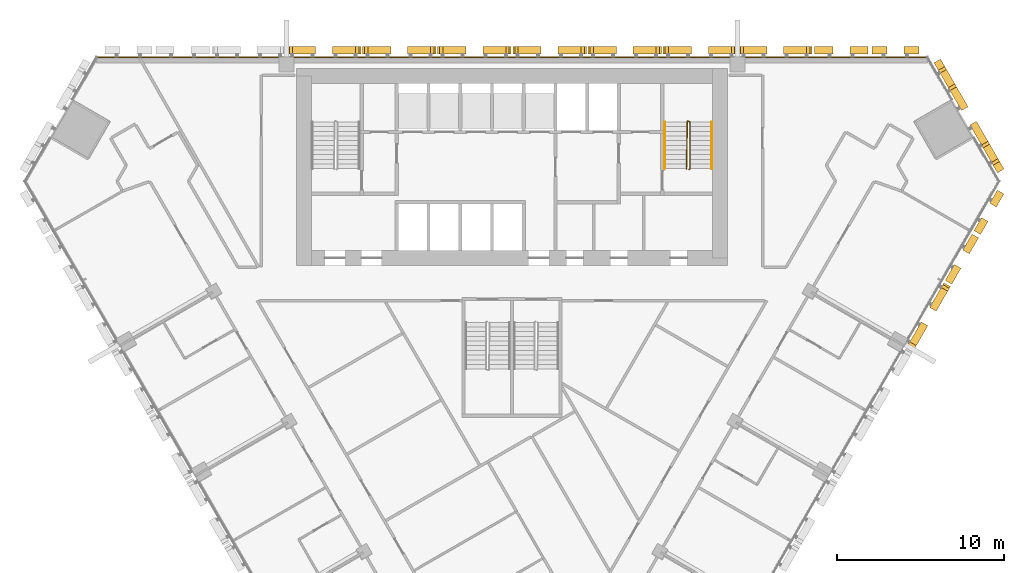
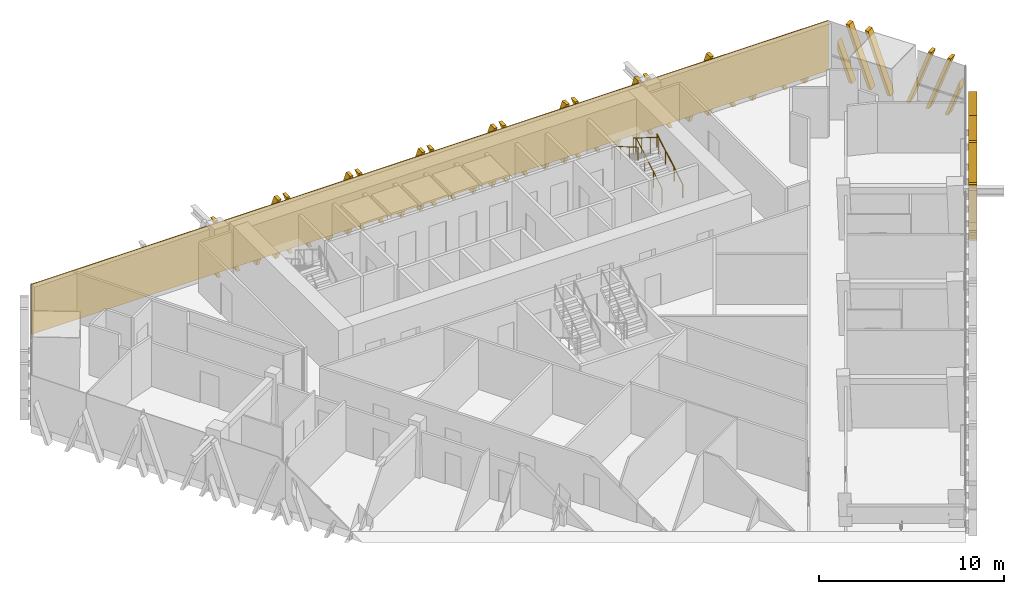
# One storey, part 14 of 15: 13 shading devices, 3 railings, 1 covering.
"""IFC4 building model written with IfcOpenShell, lengths in metres."""

from ifc_helpers import new_model, si_unit, direction, frame, frame_2d, origin, origin_2d, place, context, subcontext, project, spatial, polyline, rectangle, circle, outline, extrude, source, transform, mapped, material, layer, layer_set, type_object, element, save


model = new_model("IFC4")

# Units and contexts
model_context = context("Model", 3, precision=1e-05, world=origin(), true_north=direction((0.0, 1.0)))
body_context = subcontext(model_context, "Body", "Model", "MODEL_VIEW")
ifc_project = project(units=[si_unit("LENGTHUNIT", "METRE"), si_unit("AREAUNIT", "SQUARE_METRE"), si_unit("VOLUMEUNIT", "CUBIC_METRE"), si_unit("PLANEANGLEUNIT", "RADIAN"), si_unit("MASSUNIT", "GRAM", prefix="KILO")], contexts=[model_context])

# Site, building, storey
site_placement = place(None, origin())
site = spatial("IfcSite", under=ifc_project, at=site_placement, CompositionType="ELEMENT")
building_placement = place(site_placement, origin())
building = spatial("IfcBuilding", under=site, at=building_placement, Name="Altiplano Prism Tower", CompositionType="ELEMENT")
storey_placement = place(building_placement, frame((0.0, 0.0, 91.800048828125)))
storey = spatial("IfcBuildingStorey", under=building, at=storey_placement, Name="L23", CompositionType="ELEMENT", Elevation=91.800048828125)

# Railings
ifc_material_1 = material(Name="Steel S355", Category="steel")
railing_type_1 = type_object("IfcRailingType", Name="Stair guard 1100", PredefinedType="GUARDRAIL", material=ifc_material_1)
railing_1_placement = place(storey_placement, frame((95.60009765625, 98.25, 0.0)))
element("IfcRailing", 1, at=railing_1_placement, inside=storey, type_object=railing_type_1, Name="L23 ST2 stair guard 1", PredefinedType="GUARDRAIL", context=body_context, shape_type="SweptSolid", body=[
    extrude(circle(Radius=0.02392578125, at=origin_2d()), frame((0.0, 0.0, 1.076171875), z_axis=(0.279546231943, 0.280916556609, 0.91811752648), x_axis=(-0.708833529934, 0.705375805398, 0.0)), (0.0, 0.0, 1.0), 0.17822265625),
    extrude(circle(Radius=0.02392578125, at=origin_2d()), frame((0.0498046875, 0.050048828125, 1.23974609375), z_axis=(0.0, 0.863360870873, 0.504586966384), x_axis=(-1.0, 0.0, 0.0)), (0.0, 0.0, 1.0), 3.2431640625),
    extrude(circle(Radius=0.02392578125, at=origin_2d()), frame((0.0498046875, 2.85009765625, 2.8759765625), z_axis=(-0.948991962702, 0.315300261223, 0.0), x_axis=(-0.315300261223, -0.948991962702, 0.0)), (0.0, 0.0, 1.0), 0.157958984375),
    extrude(circle(Radius=0.02392578125, at=origin_2d()), frame((-0.10009765625, 2.89990234375, 2.8759765625), z_axis=(-0.014846992469, -0.845409478506, 0.533912334065), x_axis=(0.999845825584, -0.017559187376, 0.0)), (0.0, 0.0, 1.0), 3.37109375),
    extrude(circle(Radius=0.02099609375, at=origin_2d()), origin(), (0.0, 0.0, 1.0), 1.052001953125),
    extrude(circle(Radius=0.02099609375, at=origin_2d()), frame((0.0498046875, 0.050048828125, 0.16357421875)), (0.0, 0.0, 1.0), 1.052001953125),
    extrude(circle(Radius=0.02099609375, at=origin_2d()), frame((0.0498046875, 0.9833984375, 0.708984375)), (0.0, 0.0, 1.0), 1.052001953125),
    extrude(circle(Radius=0.02099609375, at=origin_2d()), frame((0.0498046875, 1.916748046875, 1.254638671875)), (0.0, 0.0, 1.0), 1.052001953125),
    extrude(circle(Radius=0.02099609375, at=origin_2d()), frame((0.0498046875, 2.85009765625, 1.800048828125)), (0.0, 0.0, 1.0), 1.052001953125),
    extrude(circle(Radius=0.02099609375, at=origin_2d()), frame((-0.10009765625, 2.89990234375, 1.800048828125)), (0.0, 0.0, 1.0), 1.052001953125),
    extrude(circle(Radius=0.02099609375, at=origin_2d()), frame((-0.11669921875, 1.949951171875, 2.39990234375)), (0.0, 0.0, 1.0), 1.052001953125),
    extrude(circle(Radius=0.02099609375, at=origin_2d()), frame((-0.133544921875, 1.0, 3.0)), (0.0, 0.0, 1.0), 1.052001953125),
    extrude(circle(Radius=0.02099609375, at=origin_2d()), frame((-0.150146484375, 0.050048828125, 3.599853515625)), (0.0, 0.0, 1.0), 1.052001953125),
])
railing_type_2 = type_object("IfcRailingType", Name="Stair handrail 900", PredefinedType="HANDRAIL", material=ifc_material_1)
railing_2_placement = place(storey_placement, frame((96.949951171875, 98.300048828125, 0.16357421875)))
element("IfcRailing", 2, at=railing_2_placement, inside=storey, type_object=railing_type_2, Name="L23 ST2 stair handrail 1", PredefinedType="HANDRAIL", context=body_context, shape_type="SweptSolid", body=[
    extrude(circle(Radius=0.02392578125, at=origin_2d()), frame((0.0, 0.0, 0.8759765625), z_axis=(0.0, 0.863360870873, 0.504586966384), x_axis=(-1.0, 0.0, 0.0)), (0.0, 0.0, 1.0), 3.2431640625),
    extrude(circle(Radius=0.02099609375, at=origin_2d()), origin(), (0.0, 0.0, 1.0), 0.851806640625),
    extrude(circle(Radius=0.02099609375, at=origin_2d()), frame((0.0, 0.933349609375, 0.54541015625)), (0.0, 0.0, 1.0), 0.851806640625),
    extrude(circle(Radius=0.02099609375, at=origin_2d()), frame((0.0, 1.86669921875, 1.091064453125)), (0.0, 0.0, 1.0), 0.851806640625),
    extrude(circle(Radius=0.02099609375, at=origin_2d()), frame((0.0, 2.800048828125, 1.636474609375)), (0.0, 0.0, 1.0), 0.851806640625),
])
railing_3_placement = place(storey_placement, frame((94.14990234375, 101.10009765625, 1.963623046875)))
element("IfcRailing", 3, at=railing_3_placement, inside=storey, type_object=railing_type_2, Name="L23 ST2 stair handrail 2", PredefinedType="HANDRAIL", context=body_context, shape_type="SweptSolid", body=[
    extrude(circle(Radius=0.02392578125, at=origin_2d()), frame((0.0, 0.0, 0.8759765625), z_axis=(0.0, -0.863393664356, 0.504530851732), x_axis=(1.0, 0.0, 0.0)), (0.0, 0.0, 1.0), 3.2431640625),
    extrude(circle(Radius=0.02099609375, at=origin_2d()), origin(), (0.0, 0.0, 1.0), 0.851806640625),
    extrude(circle(Radius=0.02099609375, at=origin_2d()), frame((0.0, -0.933349609375, 0.54541015625)), (0.0, 0.0, 1.0), 0.851806640625),
    extrude(circle(Radius=0.02099609375, at=origin_2d()), frame((0.0, -1.86669921875, 1.0908203125)), (0.0, 0.0, 1.0), 0.851806640625),
    extrude(circle(Radius=0.02099609375, at=origin_2d()), frame((0.0, -2.800048828125, 1.63623046875)), (0.0, 0.0, 1.0), 0.851806640625),
])

# Covering
ifc_material_2 = material(Name="Warm limestone cast stone", Category="masonry")
ifc_layer = layer(ifc_material_2, 0.06005859375)
ifc_layer_set = layer_set([ifc_layer], Name="Warm limestone cast stone")
covering_type = type_object("IfcCoveringType", Name="Stone cladding 60", PredefinedType="CLADDING", material=ifc_layer_set)
covering_placement = place(storey_placement, frame((60.12109375, 104.969970703125, 0.0), z_axis=(0.0, 0.0, 1.0), x_axis=(1.0, 0.0, 0.0)))
element("IfcCovering", 4, at=covering_placement, inside=storey, type_object=covering_type, Name="Stone cladding north face L23", PredefinedType="CLADDING", context=body_context, shape_type="SweptSolid", body=[
    extrude(rectangle(XDim=49.7578125, YDim=0.06005859375, at=frame_2d((24.87890625, 0.0))), origin(), (0.0, 0.0, 1.0), 3.300048828125),
])

# Shading devices
shading_device_type_1 = type_object("IfcShadingDeviceType", Name="Stone fin panel, narrow closing bay", PredefinedType="USERDEFINED", material=ifc_material_2)
shared_shape_1 = source(origin(), body_context, "Body", "SweptSolid", [
    extrude(outline(polyline([(-1.39990234375, 2.47265625), (-1.39990234375, 1.923095703125), (-0.699951171875, 0.0), (-0.5, 0.0), (-1.39990234375, 2.47265625)])), frame((0.0, -0.14990234375, 0.0), z_axis=(0.0, -1.0, 0.0), x_axis=(1.0, 0.0, 0.0)), (0.0, 0.0, 1.0), 0.4501953125),
    extrude(outline(polyline([(1.39990234375, 1.923095703125), (1.39990234375, 2.47265625), (0.5, 0.0), (0.699951171875, 0.0), (1.39990234375, 1.923095703125)])), frame((0.0, -0.14990234375, 0.0), z_axis=(0.0, -1.0, 0.0), x_axis=(1.0, 0.0, 0.0)), (0.0, 0.0, 1.0), 0.4501953125),
])
shading_device_1_placement = place(storey_placement, origin())
element("IfcShadingDevice", 5, at=shading_device_1_placement, inside=storey, type_object=shading_device_type_1, Name="Fin L23 north face 1", ObjectType="FIN", PredefinedType="USERDEFINED", context=body_context, shape_type="MappedRepresentation", body=[
    mapped(shared_shape_1, transform((107.959228515625, 105.0, -0.5), x_axis=(-1.0, 0.0, 0.0), y_axis=(0.0, -1.0, 0.0), z_axis=(0.0, 0.0, 1.0))),
])
shading_device_2_placement = place(storey_placement, origin())
element("IfcShadingDevice", 6, at=shading_device_2_placement, inside=storey, type_object=shading_device_type_1, Name="Fin L23 south-east face 12", ObjectType="FIN", PredefinedType="USERDEFINED", context=body_context, shape_type="MappedRepresentation", body=[
    mapped(shared_shape_1, transform((113.226318359375, 95.876953125, -0.5), x_axis=(0.500000011188, 0.866025397325, 0.0), y_axis=(-0.866025397325, 0.500000011188, 0.0), z_axis=(0.0, 0.0, 1.0))),
])
shared_shape_2 = source(origin(), body_context, "Body", "SweptSolid", [
    extrude(outline(polyline([(-1.60009765625, 3.022216796875), (-1.60009765625, 2.47265625), (-0.699951171875, 0.0), (-0.5, 0.0), (-1.60009765625, 3.022216796875)])), frame((0.0, -0.14990234375, 0.0), z_axis=(0.0, -1.0, 0.0), x_axis=(1.0, 0.0, 0.0)), (0.0, 0.0, 1.0), 0.4501953125),
    extrude(outline(polyline([(1.60009765625, 2.47265625), (1.60009765625, 3.022216796875), (0.5, 0.0), (0.699951171875, 0.0), (1.60009765625, 2.47265625)])), frame((0.0, -0.14990234375, 0.0), z_axis=(0.0, -1.0, 0.0), x_axis=(1.0, 0.0, 0.0)), (0.0, 0.0, 1.0), 0.4501953125),
])
shading_device_3_placement = place(storey_placement, origin())
element("IfcShadingDevice", 7, at=shading_device_3_placement, inside=storey, type_object=shading_device_type_1, Name="Fin L23 north face 2", ObjectType="FIN", PredefinedType="USERDEFINED", context=body_context, shape_type="MappedRepresentation", body=[
    mapped(shared_shape_2, transform((104.7197265625, 105.0, -0.5), x_axis=(-1.0, 0.0, 0.0), y_axis=(0.0, -1.0, 0.0), z_axis=(0.0, 0.0, 1.0))),
])
shading_device_4_placement = place(storey_placement, origin())
element("IfcShadingDevice", 8, at=shading_device_4_placement, inside=storey, type_object=shading_device_type_1, Name="Fin L23 south-east face 11", ObjectType="FIN", PredefinedType="USERDEFINED", context=body_context, shape_type="MappedRepresentation", body=[
    mapped(shared_shape_2, transform((111.606689453125, 93.071533203125, -0.5), x_axis=(0.500000011188, 0.866025397325, 0.0), y_axis=(-0.866025397325, 0.500000011188, 0.0), z_axis=(0.0, 0.0, 1.0))),
])
shading_device_type_2 = type_object("IfcShadingDeviceType", Name="Stone fin panel, standard unit", PredefinedType="USERDEFINED", material=ifc_material_2)
shared_shape_3 = source(origin(), body_context, "Body", "SweptSolid", [
    extrude(outline(polyline([(-2.199951171875, 1.373779296875), (-2.199951171875, 0.82421875), (-1.89990234375, 0.0), (-1.699951171875, 0.0), (-2.199951171875, 1.373779296875)])), frame((0.0, -0.14990234375, 0.0), z_axis=(0.0, -1.0, 0.0), x_axis=(1.0, 0.0, 0.0)), (0.0, 0.0, 1.0), 0.4501953125),
    extrude(outline(polyline([(-2.0830078125, 3.800048828125), (-0.699951171875, 0.0), (-0.5, 0.0), (-1.883056640625, 3.800048828125), (-2.0830078125, 3.800048828125)])), frame((0.0, -0.14990234375, 0.0), z_axis=(0.0, -1.0, 0.0), x_axis=(1.0, 0.0, 0.0)), (0.0, 0.0, 1.0), 0.4501953125),
    extrude(outline(polyline([(1.883056640625, 3.800048828125), (0.5, 0.0), (0.699951171875, 0.0), (2.0830078125, 3.800048828125), (1.883056640625, 3.800048828125)])), frame((0.0, -0.14990234375, 0.0), z_axis=(0.0, -1.0, 0.0), x_axis=(1.0, 0.0, 0.0)), (0.0, 0.0, 1.0), 0.4501953125),
    extrude(outline(polyline([(2.199951171875, 0.82421875), (2.199951171875, 1.373779296875), (1.699951171875, 0.0), (1.89990234375, 0.0), (2.199951171875, 0.82421875)])), frame((0.0, -0.14990234375, 0.0), z_axis=(0.0, -1.0, 0.0), x_axis=(1.0, 0.0, 0.0)), (0.0, 0.0, 1.0), 0.4501953125),
])
shading_device_5_placement = place(storey_placement, origin())
element("IfcShadingDevice", 9, at=shading_device_5_placement, inside=storey, type_object=shading_device_type_2, Name="Fin L23 north face 3", ObjectType="FIN", PredefinedType="USERDEFINED", context=body_context, shape_type="MappedRepresentation", body=[
    mapped(shared_shape_3, transform((100.75, 105.0, -0.5), x_axis=(-1.0, 0.0, 0.0), y_axis=(0.0, -1.0, 0.0), z_axis=(0.0, 0.0, 1.0))),
])
shading_device_6_placement = place(storey_placement, origin())
element("IfcShadingDevice", 10, at=shading_device_6_placement, inside=storey, type_object=shading_device_type_2, Name="Fin L23 north face 4", ObjectType="FIN", PredefinedType="USERDEFINED", context=body_context, shape_type="MappedRepresentation", body=[
    mapped(shared_shape_3, transform((96.25, 105.0, -0.5), x_axis=(-1.0, 0.0, 0.0), y_axis=(0.0, -1.0, 0.0), z_axis=(0.0, 0.0, 1.0))),
])
shading_device_7_placement = place(storey_placement, origin())
element("IfcShadingDevice", 11, at=shading_device_7_placement, inside=storey, type_object=shading_device_type_2, Name="Fin L23 north face 5", ObjectType="FIN", PredefinedType="USERDEFINED", context=body_context, shape_type="MappedRepresentation", body=[
    mapped(shared_shape_3, transform((91.75, 105.0, -0.5), x_axis=(-1.0, 0.0, 0.0), y_axis=(0.0, -1.0, 0.0), z_axis=(0.0, 0.0, 1.0))),
])
shading_device_8_placement = place(storey_placement, origin())
element("IfcShadingDevice", 12, at=shading_device_8_placement, inside=storey, type_object=shading_device_type_2, Name="Fin L23 north face 6", ObjectType="FIN", PredefinedType="USERDEFINED", context=body_context, shape_type="MappedRepresentation", body=[
    mapped(shared_shape_3, transform((87.25, 105.0, -0.5), x_axis=(-1.0, 0.0, 0.0), y_axis=(0.0, -1.0, 0.0), z_axis=(0.0, 0.0, 1.0))),
])
shading_device_9_placement = place(storey_placement, origin())
element("IfcShadingDevice", 13, at=shading_device_9_placement, inside=storey, type_object=shading_device_type_2, Name="Fin L23 north face 7", ObjectType="FIN", PredefinedType="USERDEFINED", context=body_context, shape_type="MappedRepresentation", body=[
    mapped(shared_shape_3, transform((82.75, 105.0, -0.5), x_axis=(-1.0, 0.0, 0.0), y_axis=(0.0, -1.0, 0.0), z_axis=(0.0, 0.0, 1.0))),
])
shading_device_10_placement = place(storey_placement, origin())
element("IfcShadingDevice", 14, at=shading_device_10_placement, inside=storey, type_object=shading_device_type_2, Name="Fin L23 north face 8", ObjectType="FIN", PredefinedType="USERDEFINED", context=body_context, shape_type="MappedRepresentation", body=[
    mapped(shared_shape_3, transform((78.25, 105.0, -0.5), x_axis=(-1.0, 0.0, 0.0), y_axis=(0.0, -1.0, 0.0), z_axis=(0.0, 0.0, 1.0))),
])
shading_device_11_placement = place(storey_placement, origin())
element("IfcShadingDevice", 15, at=shading_device_11_placement, inside=storey, type_object=shading_device_type_2, Name="Fin L23 north face 9", ObjectType="FIN", PredefinedType="USERDEFINED", context=body_context, shape_type="MappedRepresentation", body=[
    mapped(shared_shape_3, transform((73.75, 105.0, -0.5), x_axis=(-1.0, 0.0, 0.0), y_axis=(0.0, -1.0, 0.0), z_axis=(0.0, 0.0, 1.0))),
])
shading_device_12_placement = place(storey_placement, origin())
element("IfcShadingDevice", 16, at=shading_device_12_placement, inside=storey, type_object=shading_device_type_2, Name="Fin L23 south-east face 10", ObjectType="FIN", PredefinedType="USERDEFINED", context=body_context, shape_type="MappedRepresentation", body=[
    mapped(shared_shape_3, transform((109.621826171875, 89.6337890625, -0.5), x_axis=(0.500000011188, 0.866025397325, 0.0), y_axis=(-0.866025397325, 0.500000011188, 0.0), z_axis=(0.0, 0.0, 1.0))),
])
shading_device_type_3 = type_object("IfcShadingDeviceType", Name="Stone fin panel, chamfer unit", PredefinedType="USERDEFINED", material=ifc_material_2)
shared_shape_4 = source(origin(), body_context, "Body", "SweptSolid", [
    extrude(outline(polyline([(-3.800048828125, 2.47265625), (-3.800048828125, 1.923095703125), (-3.10009765625, 0.0), (-2.89990234375, 0.0), (-3.800048828125, 2.47265625)])), frame((0.0, -0.14990234375, 0.0), z_axis=(0.0, -1.0, 0.0), x_axis=(1.0, 0.0, 0.0)), (0.0, 0.0, 1.0), 0.4501953125),
    extrude(outline(polyline([(-3.283203125, 3.800048828125), (-1.89990234375, 0.0), (-1.699951171875, 0.0), (-3.0830078125, 3.800048828125), (-3.283203125, 3.800048828125)])), frame((0.0, -0.14990234375, 0.0), z_axis=(0.0, -1.0, 0.0), x_axis=(1.0, 0.0, 0.0)), (0.0, 0.0, 1.0), 0.4501953125),
    extrude(outline(polyline([(-2.0830078125, 3.800048828125), (-0.699951171875, 0.0), (-0.5, 0.0), (-1.883056640625, 3.800048828125), (-2.0830078125, 3.800048828125)])), frame((0.0, -0.14990234375, 0.0), z_axis=(0.0, -1.0, 0.0), x_axis=(1.0, 0.0, 0.0)), (0.0, 0.0, 1.0), 0.4501953125),
    extrude(outline(polyline([(1.883056640625, 3.800048828125), (0.5, 0.0), (0.699951171875, 0.0), (2.0830078125, 3.800048828125), (1.883056640625, 3.800048828125)])), frame((0.0, -0.14990234375, 0.0), z_axis=(0.0, -1.0, 0.0), x_axis=(1.0, 0.0, 0.0)), (0.0, 0.0, 1.0), 0.4501953125),
    extrude(outline(polyline([(3.0830078125, 3.800048828125), (1.699951171875, 0.0), (1.89990234375, 0.0), (3.283203125, 3.800048828125), (3.0830078125, 3.800048828125)])), frame((0.0, -0.14990234375, 0.0), z_axis=(0.0, -1.0, 0.0), x_axis=(1.0, 0.0, 0.0)), (0.0, 0.0, 1.0), 0.4501953125),
    extrude(outline(polyline([(3.800048828125, 1.923095703125), (3.800048828125, 2.47265625), (2.89990234375, 0.0), (3.10009765625, 0.0), (3.800048828125, 1.923095703125)])), frame((0.0, -0.14990234375, 0.0), z_axis=(0.0, -1.0, 0.0), x_axis=(1.0, 0.0, 0.0)), (0.0, 0.0, 1.0), 0.4501953125),
])
shading_device_13_placement = place(storey_placement, origin())
element("IfcShadingDevice", 17, at=shading_device_13_placement, inside=storey, type_object=shading_device_type_3, Name="Fin L23 north-east chamfer 1", ObjectType="FIN", PredefinedType="USERDEFINED", context=body_context, shape_type="MappedRepresentation", body=[
    mapped(shared_shape_4, transform((112.032470703125, 101.269775390625, -0.5), x_axis=(-0.500000023969, 0.866025389946, 0.0), y_axis=(-0.866025389946, -0.500000023969, 0.0), z_axis=(0.0, 0.0, 1.0))),
])

save(model, "model.ifc")
